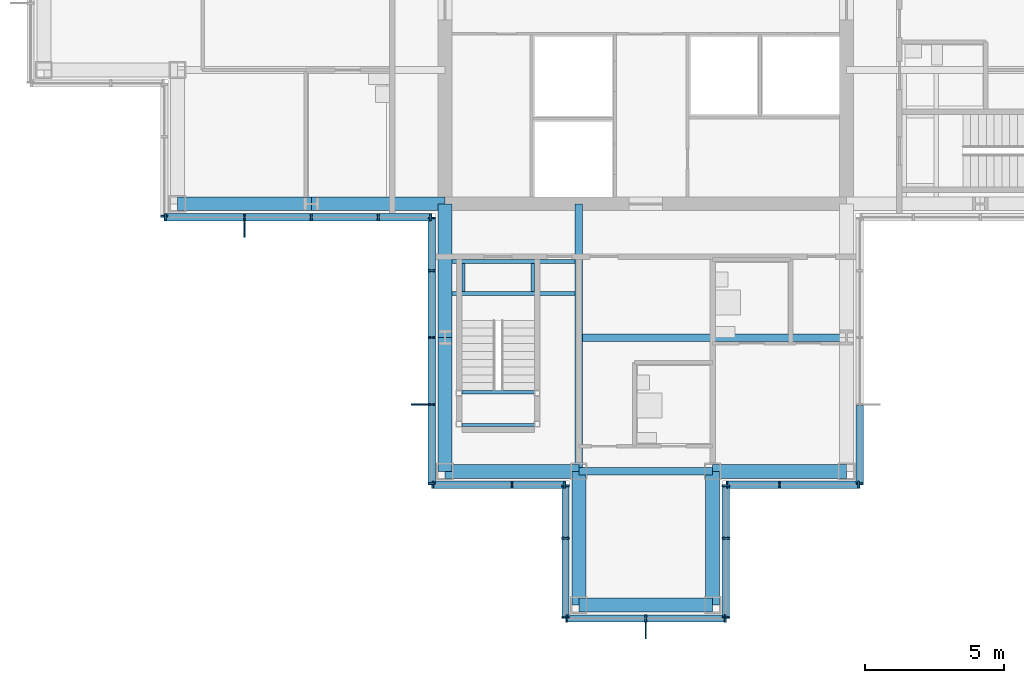
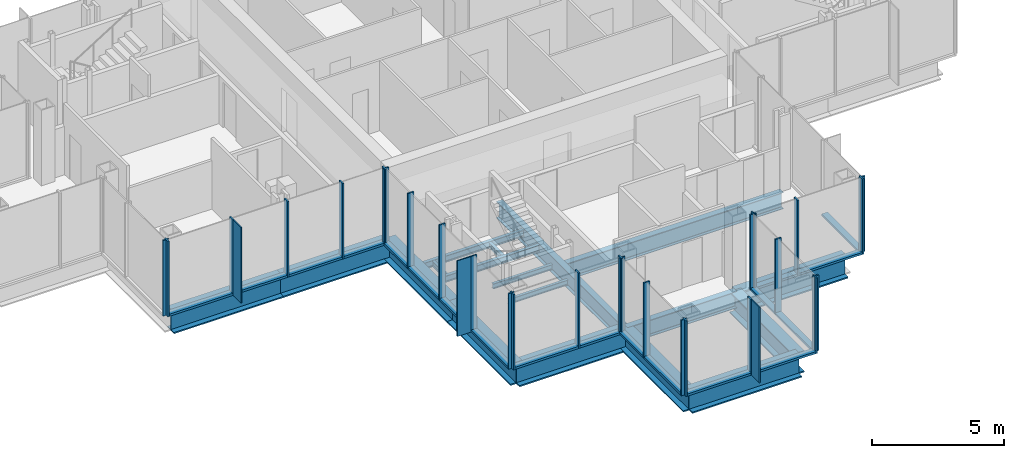
# One storey, part 5 of 15: 49 members, 18 beams, 9 elements without a shape of their own.
"""IFC4 building model written with IfcOpenShell, lengths in metres."""

from ifc_helpers import new_model, si_unit, direction, frame, origin, origin_2d, place, context, subcontext, project, spatial, rectangle, i_section, extrude, material, material_profile, profile_set, type_object, element, aggregate, save


model = new_model("IFC4")

# Units and contexts
model_context = context("Model", 3, precision=1e-05, world=origin(), true_north=direction((0.0, 1.0)))
body_context = subcontext(model_context, "Body", "Model", "MODEL_VIEW")
ifc_project = project(units=[si_unit("LENGTHUNIT", "METRE"), si_unit("AREAUNIT", "SQUARE_METRE"), si_unit("VOLUMEUNIT", "CUBIC_METRE"), si_unit("PLANEANGLEUNIT", "RADIAN"), si_unit("MASSUNIT", "GRAM", prefix="KILO")], contexts=[model_context])

# Site, building, storey
site_placement = place(None, origin())
site = spatial("IfcSite", under=ifc_project, at=site_placement, CompositionType="ELEMENT")
building_placement = place(site_placement, origin())
building = spatial("IfcBuilding", under=site, at=building_placement, Name="Kvirike Care Tower", CompositionType="ELEMENT")
storey_placement = place(building_placement, frame((0.0, 0.0, 240.0)))
storey = spatial("IfcBuildingStorey", under=building, at=storey_placement, Name="L66", CompositionType="ELEMENT", Elevation=240.0)

# Curtain wall, member
ifc_material_1 = material(Name="Anodised aluminium stick system", Category="aluminium")
curtain_wall_type = type_object("IfcCurtainWallType", Name="CW-D STICK CURTAIN WALL", PredefinedType="NOTDEFINED", material=ifc_material_1)
curtain_wall_1_placement = place(storey_placement, origin())
curtain_wall_1 = element("IfcCurtainWall", 1, at=curtain_wall_1_placement, inside=storey, type_object=curtain_wall_type, Name="Curtain wall L66 face 13", PredefinedType="NOTDEFINED")
ifc_material_2 = material(Name="Bronze anodised aluminium fin", Category="aluminium")
ifc_material_profile_1 = material_profile(ifc_material_2, rectangle(XDim=0.050048828125, YDim=0.60009765625, at=origin_2d()), Name="BRONZE FIN 600")
ifc_profile_set_1 = profile_set([ifc_material_profile_1], Name="Bronze anodised aluminium fin")
member_type_1 = type_object("IfcMemberType", Name="BRONZE FIN 600", PredefinedType="USERDEFINED", material=ifc_profile_set_1)
member_1_placement = place(storey_placement, frame((7.199951171875, 27.889892578125, 0.0), z_axis=(0.0, 0.0, 1.0), x_axis=(1.0, 0.0, 0.0)))
member_1 = element("IfcMember", 2, at=member_1_placement, type_object=member_type_1, Name="Bronze fin L66 face 13.2", ObjectType="FIN", PredefinedType="USERDEFINED", context=body_context, shape_type="SweptSolid", body=[
    extrude(rectangle(XDim=0.050048828125, YDim=0.60009765625, at=origin_2d()), origin(), (0.0, 0.0, 1.0), 3.5),
])

curtain_wall_2_placement = place(storey_placement, origin())
curtain_wall_2 = element("IfcCurtainWall", 3, at=curtain_wall_2_placement, inside=storey, type_object=curtain_wall_type, Name="Curtain wall L66 face 14", PredefinedType="NOTDEFINED")
member_2_placement = place(storey_placement, frame((13.489990234375, 21.60009765625, 0.0), z_axis=(0.0, 0.0, 1.0), x_axis=(0.0, -1.0, 0.0)))
member_2 = element("IfcMember", 4, at=member_2_placement, type_object=member_type_1, Name="Bronze fin L66 face 14.4", ObjectType="FIN", PredefinedType="USERDEFINED", context=body_context, shape_type="SweptSolid", body=[
    extrude(rectangle(XDim=0.050048828125, YDim=0.60009765625, at=origin_2d()), origin(), (0.0, 0.0, 1.0), 3.5),
])

curtain_wall_3_placement = place(storey_placement, origin())
curtain_wall_3 = element("IfcCurtainWall", 5, at=curtain_wall_3_placement, inside=storey, type_object=curtain_wall_type, Name="Curtain wall L66 face 17", PredefinedType="NOTDEFINED")
member_3_placement = place(storey_placement, frame((21.60009765625, 13.489990234375, 0.0), z_axis=(0.0, 0.0, 1.0), x_axis=(1.0, 0.0, 0.0)))
member_3 = element("IfcMember", 6, at=member_3_placement, type_object=member_type_1, Name="Bronze fin L66 face 17.2", ObjectType="FIN", PredefinedType="USERDEFINED", context=body_context, shape_type="SweptSolid", body=[
    extrude(rectangle(XDim=0.050048828125, YDim=0.60009765625, at=origin_2d()), origin(), (0.0, 0.0, 1.0), 3.5),
])

curtain_wall_4_placement = place(storey_placement, origin())
curtain_wall_4 = element("IfcCurtainWall", 7, at=curtain_wall_4_placement, inside=storey, type_object=curtain_wall_type, Name="Curtain wall L66 face 12", PredefinedType="NOTDEFINED")
ifc_material_3 = material(Name="Bronze anodised aluminium mullion", Category="aluminium")
ifc_material_profile_2 = material_profile(ifc_material_3, rectangle(XDim=0.06494140625, YDim=0.260009765625, at=origin_2d()), Name="CW-D MULLION 65x260")
ifc_profile_set_2 = profile_set([ifc_material_profile_2], Name="Bronze anodised aluminium mullion")
member_type_2 = type_object("IfcMemberType", Name="CW-D MULLION 65x260", PredefinedType="MULLION", material=ifc_profile_set_2)
member_4_placement = place(storey_placement, frame((4.320068359375, 28.3525390625, 0.0), z_axis=(0.0, 0.0, 1.0), x_axis=(0.0, -1.0, 0.0)))
member_4 = element("IfcMember", 8, at=member_4_placement, type_object=member_type_2, Name="CW-D mullion L66 face 12.3", PredefinedType="MULLION", context=body_context, shape_type="SweptSolid", body=[
    extrude(rectangle(XDim=0.06494140625, YDim=0.260009765625, at=origin_2d()), origin(), (0.0, 0.0, 1.0), 3.5),
])
aggregate(curtain_wall_4, [member_4])

# Member
member_5_placement = place(storey_placement, frame((4.3525390625, 28.320068359375, 0.0), z_axis=(0.0, 0.0, 1.0), x_axis=(1.0, 0.0, 0.0)))
member_5 = element("IfcMember", 9, at=member_5_placement, type_object=member_type_2, Name="CW-D mullion L66 face 13.1", PredefinedType="MULLION", context=body_context, shape_type="SweptSolid", body=[
    extrude(rectangle(XDim=0.06494140625, YDim=0.260009765625, at=origin_2d()), origin(), (0.0, 0.0, 1.0), 3.5),
])

member_6_placement = place(storey_placement, frame((7.199951171875, 28.320068359375, 0.0), z_axis=(0.0, 0.0, 1.0), x_axis=(1.0, 0.0, 0.0)))
member_6 = element("IfcMember", 10, at=member_6_placement, type_object=member_type_2, Name="CW-D mullion L66 face 13.2", PredefinedType="MULLION", context=body_context, shape_type="SweptSolid", body=[
    extrude(rectangle(XDim=0.06494140625, YDim=0.260009765625, at=origin_2d()), origin(), (0.0, 0.0, 1.0), 3.5),
])

member_7_placement = place(storey_placement, frame((9.60009765625, 28.320068359375, 0.0), z_axis=(0.0, 0.0, 1.0), x_axis=(1.0, 0.0, 0.0)))
member_7 = element("IfcMember", 11, at=member_7_placement, type_object=member_type_2, Name="CW-D mullion L66 face 13.3", PredefinedType="MULLION", context=body_context, shape_type="SweptSolid", body=[
    extrude(rectangle(XDim=0.06494140625, YDim=0.260009765625, at=origin_2d()), origin(), (0.0, 0.0, 1.0), 3.5),
])

member_8_placement = place(storey_placement, frame((12.0, 28.320068359375, 0.0), z_axis=(0.0, 0.0, 1.0), x_axis=(1.0, 0.0, 0.0)))
member_8 = element("IfcMember", 12, at=member_8_placement, type_object=member_type_2, Name="CW-D mullion L66 face 13.4", PredefinedType="MULLION", context=body_context, shape_type="SweptSolid", body=[
    extrude(rectangle(XDim=0.06494140625, YDim=0.260009765625, at=origin_2d()), origin(), (0.0, 0.0, 1.0), 3.5),
])

member_9_placement = place(storey_placement, frame((13.887451171875, 28.320068359375, 0.0), z_axis=(0.0, 0.0, 1.0), x_axis=(1.0, 0.0, 0.0)))
member_9 = element("IfcMember", 13, at=member_9_placement, type_object=member_type_2, Name="CW-D mullion L66 face 13.5", PredefinedType="MULLION", context=body_context, shape_type="SweptSolid", body=[
    extrude(rectangle(XDim=0.06494140625, YDim=0.260009765625, at=origin_2d()), origin(), (0.0, 0.0, 1.0), 3.5),
])

member_10_placement = place(storey_placement, frame((13.919921875, 28.28759765625, 0.0), z_axis=(0.0, 0.0, 1.0), x_axis=(0.0, -1.0, 0.0)))
member_10 = element("IfcMember", 14, at=member_10_placement, type_object=member_type_2, Name="CW-D mullion L66 face 14.1", PredefinedType="MULLION", context=body_context, shape_type="SweptSolid", body=[
    extrude(rectangle(XDim=0.06494140625, YDim=0.260009765625, at=origin_2d()), origin(), (0.0, 0.0, 1.0), 3.5),
])

member_11_placement = place(storey_placement, frame((13.919921875, 26.39990234375, 0.0), z_axis=(0.0, 0.0, 1.0), x_axis=(0.0, -1.0, 0.0)))
member_11 = element("IfcMember", 15, at=member_11_placement, type_object=member_type_2, Name="CW-D mullion L66 face 14.2", PredefinedType="MULLION", context=body_context, shape_type="SweptSolid", body=[
    extrude(rectangle(XDim=0.06494140625, YDim=0.260009765625, at=origin_2d()), origin(), (0.0, 0.0, 1.0), 3.5),
])

member_12_placement = place(storey_placement, frame((13.919921875, 24.0, 0.0), z_axis=(0.0, 0.0, 1.0), x_axis=(0.0, -1.0, 0.0)))
member_12 = element("IfcMember", 16, at=member_12_placement, type_object=member_type_2, Name="CW-D mullion L66 face 14.3", PredefinedType="MULLION", context=body_context, shape_type="SweptSolid", body=[
    extrude(rectangle(XDim=0.06494140625, YDim=0.260009765625, at=origin_2d()), origin(), (0.0, 0.0, 1.0), 3.5),
])

member_13_placement = place(storey_placement, frame((13.919921875, 21.60009765625, 0.0), z_axis=(0.0, 0.0, 1.0), x_axis=(0.0, -1.0, 0.0)))
member_13 = element("IfcMember", 17, at=member_13_placement, type_object=member_type_2, Name="CW-D mullion L66 face 14.4", PredefinedType="MULLION", context=body_context, shape_type="SweptSolid", body=[
    extrude(rectangle(XDim=0.06494140625, YDim=0.260009765625, at=origin_2d()), origin(), (0.0, 0.0, 1.0), 3.5),
])

member_14_placement = place(storey_placement, frame((13.919921875, 18.75244140625, 0.0), z_axis=(0.0, 0.0, 1.0), x_axis=(0.0, -1.0, 0.0)))
member_14 = element("IfcMember", 18, at=member_14_placement, type_object=member_type_2, Name="CW-D mullion L66 face 14.5", PredefinedType="MULLION", context=body_context, shape_type="SweptSolid", body=[
    extrude(rectangle(XDim=0.06494140625, YDim=0.260009765625, at=origin_2d()), origin(), (0.0, 0.0, 1.0), 3.5),
])

# Curtain wall, members
curtain_wall_5_placement = place(storey_placement, origin())
curtain_wall_5 = element("IfcCurtainWall", 19, at=curtain_wall_5_placement, inside=storey, type_object=curtain_wall_type, Name="Curtain wall L66 face 15", PredefinedType="NOTDEFINED")
member_15_placement = place(storey_placement, frame((13.952392578125, 18.719970703125, 0.0), z_axis=(0.0, 0.0, 1.0), x_axis=(1.0, 0.0, 0.0)))
member_15 = element("IfcMember", 20, at=member_15_placement, type_object=member_type_2, Name="CW-D mullion L66 face 15.1", PredefinedType="MULLION", context=body_context, shape_type="SweptSolid", body=[
    extrude(rectangle(XDim=0.06494140625, YDim=0.260009765625, at=origin_2d()), origin(), (0.0, 0.0, 1.0), 3.5),
])
member_16_placement = place(storey_placement, frame((16.800048828125, 18.719970703125, 0.0), z_axis=(0.0, 0.0, 1.0), x_axis=(1.0, 0.0, 0.0)))
member_16 = element("IfcMember", 21, at=member_16_placement, type_object=member_type_2, Name="CW-D mullion L66 face 15.2", PredefinedType="MULLION", context=body_context, shape_type="SweptSolid", body=[
    extrude(rectangle(XDim=0.06494140625, YDim=0.260009765625, at=origin_2d()), origin(), (0.0, 0.0, 1.0), 3.5),
])
member_17_placement = place(storey_placement, frame((18.6875, 18.719970703125, 0.0), z_axis=(0.0, 0.0, 1.0), x_axis=(1.0, 0.0, 0.0)))
member_17 = element("IfcMember", 22, at=member_17_placement, type_object=member_type_2, Name="CW-D mullion L66 face 15.3", PredefinedType="MULLION", context=body_context, shape_type="SweptSolid", body=[
    extrude(rectangle(XDim=0.06494140625, YDim=0.260009765625, at=origin_2d()), origin(), (0.0, 0.0, 1.0), 3.5),
])

curtain_wall_6_placement = place(storey_placement, origin())
curtain_wall_6 = element("IfcCurtainWall", 23, at=curtain_wall_6_placement, inside=storey, type_object=curtain_wall_type, Name="Curtain wall L66 face 16", PredefinedType="NOTDEFINED")
member_18_placement = place(storey_placement, frame((18.719970703125, 18.6875, 0.0), z_axis=(0.0, 0.0, 1.0), x_axis=(0.0, -1.0, 0.0)))
member_18 = element("IfcMember", 24, at=member_18_placement, type_object=member_type_2, Name="CW-D mullion L66 face 16.1", PredefinedType="MULLION", context=body_context, shape_type="SweptSolid", body=[
    extrude(rectangle(XDim=0.06494140625, YDim=0.260009765625, at=origin_2d()), origin(), (0.0, 0.0, 1.0), 3.5),
])
member_19_placement = place(storey_placement, frame((18.719970703125, 16.800048828125, 0.0), z_axis=(0.0, 0.0, 1.0), x_axis=(0.0, -1.0, 0.0)))
member_19 = element("IfcMember", 25, at=member_19_placement, type_object=member_type_2, Name="CW-D mullion L66 face 16.2", PredefinedType="MULLION", context=body_context, shape_type="SweptSolid", body=[
    extrude(rectangle(XDim=0.06494140625, YDim=0.260009765625, at=origin_2d()), origin(), (0.0, 0.0, 1.0), 3.5),
])
member_20_placement = place(storey_placement, frame((18.719970703125, 13.952392578125, 0.0), z_axis=(0.0, 0.0, 1.0), x_axis=(0.0, -1.0, 0.0)))
member_20 = element("IfcMember", 26, at=member_20_placement, type_object=member_type_2, Name="CW-D mullion L66 face 16.3", PredefinedType="MULLION", context=body_context, shape_type="SweptSolid", body=[
    extrude(rectangle(XDim=0.06494140625, YDim=0.260009765625, at=origin_2d()), origin(), (0.0, 0.0, 1.0), 3.5),
])

# Member
member_21_placement = place(storey_placement, frame((18.75244140625, 13.919921875, 0.0), z_axis=(0.0, 0.0, 1.0), x_axis=(1.0, 0.0, 0.0)))
member_21 = element("IfcMember", 27, at=member_21_placement, type_object=member_type_2, Name="CW-D mullion L66 face 17.1", PredefinedType="MULLION", context=body_context, shape_type="SweptSolid", body=[
    extrude(rectangle(XDim=0.06494140625, YDim=0.260009765625, at=origin_2d()), origin(), (0.0, 0.0, 1.0), 3.5),
])

member_22_placement = place(storey_placement, frame((21.60009765625, 13.919921875, 0.0), z_axis=(0.0, 0.0, 1.0), x_axis=(1.0, 0.0, 0.0)))
member_22 = element("IfcMember", 28, at=member_22_placement, type_object=member_type_2, Name="CW-D mullion L66 face 17.2", PredefinedType="MULLION", context=body_context, shape_type="SweptSolid", body=[
    extrude(rectangle(XDim=0.06494140625, YDim=0.260009765625, at=origin_2d()), origin(), (0.0, 0.0, 1.0), 3.5),
])

member_23_placement = place(storey_placement, frame((24.447509765625, 13.919921875, 0.0), z_axis=(0.0, 0.0, 1.0), x_axis=(1.0, 0.0, 0.0)))
member_23 = element("IfcMember", 29, at=member_23_placement, type_object=member_type_2, Name="CW-D mullion L66 face 17.3", PredefinedType="MULLION", context=body_context, shape_type="SweptSolid", body=[
    extrude(rectangle(XDim=0.06494140625, YDim=0.260009765625, at=origin_2d()), origin(), (0.0, 0.0, 1.0), 3.5),
])

# Curtain wall, members
curtain_wall_7_placement = place(storey_placement, origin())
curtain_wall_7 = element("IfcCurtainWall", 30, at=curtain_wall_7_placement, inside=storey, type_object=curtain_wall_type, Name="Curtain wall L66 face 18", PredefinedType="NOTDEFINED")
member_24_placement = place(storey_placement, frame((24.47998046875, 13.952392578125, 0.0), z_axis=(0.0, 0.0, 1.0), x_axis=(0.0, 1.0, 0.0)))
member_24 = element("IfcMember", 31, at=member_24_placement, type_object=member_type_2, Name="CW-D mullion L66 face 18.1", PredefinedType="MULLION", context=body_context, shape_type="SweptSolid", body=[
    extrude(rectangle(XDim=0.06494140625, YDim=0.260009765625, at=origin_2d()), origin(), (0.0, 0.0, 1.0), 3.5),
])
member_25_placement = place(storey_placement, frame((24.47998046875, 16.800048828125, 0.0), z_axis=(0.0, 0.0, 1.0), x_axis=(0.0, 1.0, 0.0)))
member_25 = element("IfcMember", 32, at=member_25_placement, type_object=member_type_2, Name="CW-D mullion L66 face 18.2", PredefinedType="MULLION", context=body_context, shape_type="SweptSolid", body=[
    extrude(rectangle(XDim=0.06494140625, YDim=0.260009765625, at=origin_2d()), origin(), (0.0, 0.0, 1.0), 3.5),
])
member_26_placement = place(storey_placement, frame((24.47998046875, 18.6875, 0.0), z_axis=(0.0, 0.0, 1.0), x_axis=(0.0, 1.0, 0.0)))
member_26 = element("IfcMember", 33, at=member_26_placement, type_object=member_type_2, Name="CW-D mullion L66 face 18.3", PredefinedType="MULLION", context=body_context, shape_type="SweptSolid", body=[
    extrude(rectangle(XDim=0.06494140625, YDim=0.260009765625, at=origin_2d()), origin(), (0.0, 0.0, 1.0), 3.5),
])

curtain_wall_8_placement = place(storey_placement, origin())
curtain_wall_8 = element("IfcCurtainWall", 34, at=curtain_wall_8_placement, inside=storey, type_object=curtain_wall_type, Name="Curtain wall L66 face 19", PredefinedType="NOTDEFINED")
member_27_placement = place(storey_placement, frame((24.512451171875, 18.719970703125, 0.0), z_axis=(0.0, 0.0, 1.0), x_axis=(1.0, 0.0, 0.0)))
member_27 = element("IfcMember", 35, at=member_27_placement, type_object=member_type_2, Name="CW-D mullion L66 face 19.1", PredefinedType="MULLION", context=body_context, shape_type="SweptSolid", body=[
    extrude(rectangle(XDim=0.06494140625, YDim=0.260009765625, at=origin_2d()), origin(), (0.0, 0.0, 1.0), 3.5),
])
member_28_placement = place(storey_placement, frame((26.39990234375, 18.719970703125, 0.0), z_axis=(0.0, 0.0, 1.0), x_axis=(1.0, 0.0, 0.0)))
member_28 = element("IfcMember", 36, at=member_28_placement, type_object=member_type_2, Name="CW-D mullion L66 face 19.2", PredefinedType="MULLION", context=body_context, shape_type="SweptSolid", body=[
    extrude(rectangle(XDim=0.06494140625, YDim=0.260009765625, at=origin_2d()), origin(), (0.0, 0.0, 1.0), 3.5),
])
member_29_placement = place(storey_placement, frame((29.24755859375, 18.719970703125, 0.0), z_axis=(0.0, 0.0, 1.0), x_axis=(1.0, 0.0, 0.0)))
member_29 = element("IfcMember", 37, at=member_29_placement, type_object=member_type_2, Name="CW-D mullion L66 face 19.3", PredefinedType="MULLION", context=body_context, shape_type="SweptSolid", body=[
    extrude(rectangle(XDim=0.06494140625, YDim=0.260009765625, at=origin_2d()), origin(), (0.0, 0.0, 1.0), 3.5),
])

# Curtain wall, member
curtain_wall_9_placement = place(storey_placement, origin())
curtain_wall_9 = element("IfcCurtainWall", 38, at=curtain_wall_9_placement, inside=storey, type_object=curtain_wall_type, Name="Curtain wall L66 face 20", PredefinedType="NOTDEFINED")
member_30_placement = place(storey_placement, frame((29.280029296875, 18.75244140625, 0.0), z_axis=(0.0, 0.0, 1.0), x_axis=(0.0, 1.0, 0.0)))
member_30 = element("IfcMember", 39, at=member_30_placement, type_object=member_type_2, Name="CW-D mullion L66 face 20.1", PredefinedType="MULLION", context=body_context, shape_type="SweptSolid", body=[
    extrude(rectangle(XDim=0.06494140625, YDim=0.260009765625, at=origin_2d()), origin(), (0.0, 0.0, 1.0), 3.5),
])

# Member
ifc_material_4 = material(Name="Bronze anodised aluminium transom", Category="aluminium")
ifc_material_profile_3 = material_profile(ifc_material_4, rectangle(XDim=0.260009765625, YDim=0.10009765625, at=origin_2d()), Name="CW-D TRANSOM 260x100")
ifc_profile_set_3 = profile_set([ifc_material_profile_3], Name="Bronze anodised aluminium transom")
member_type_3 = type_object("IfcMemberType", Name="CW-D TRANSOM 260x100", PredefinedType="USERDEFINED", material=ifc_profile_set_3)
member_31_placement = place(storey_placement, frame((4.385009765625, 28.320068359375, 0.050048828125), z_axis=(1.0, 0.0, 0.0), x_axis=(0.0, 1.0, 0.0)))
member_31 = element("IfcMember", 40, at=member_31_placement, type_object=member_type_3, Name="CW-D sill transom L66 face 13.1", ObjectType="TRANSOM", PredefinedType="USERDEFINED", context=body_context, shape_type="SweptSolid", body=[
    extrude(rectangle(XDim=0.260009765625, YDim=0.10009765625, at=origin_2d()), origin(), (0.0, 0.0, 1.0), 2.782470703125),
])

member_32_placement = place(storey_placement, frame((7.232421875, 28.320068359375, 0.050048828125), z_axis=(1.0, 0.0, 0.0), x_axis=(0.0, 1.0, 0.0)))
member_32 = element("IfcMember", 41, at=member_32_placement, type_object=member_type_3, Name="CW-D sill transom L66 face 13.2", ObjectType="TRANSOM", PredefinedType="USERDEFINED", context=body_context, shape_type="SweptSolid", body=[
    extrude(rectangle(XDim=0.260009765625, YDim=0.10009765625, at=origin_2d()), origin(), (0.0, 0.0, 1.0), 2.3349609375),
])

member_33_placement = place(storey_placement, frame((9.632568359375, 28.320068359375, 0.050048828125), z_axis=(1.0, 0.0, 0.0), x_axis=(0.0, 1.0, 0.0)))
member_33 = element("IfcMember", 42, at=member_33_placement, type_object=member_type_3, Name="CW-D sill transom L66 face 13.3", ObjectType="TRANSOM", PredefinedType="USERDEFINED", context=body_context, shape_type="SweptSolid", body=[
    extrude(rectangle(XDim=0.260009765625, YDim=0.10009765625, at=origin_2d()), origin(), (0.0, 0.0, 1.0), 2.3349609375),
])

member_34_placement = place(storey_placement, frame((12.032470703125, 28.320068359375, 0.050048828125), z_axis=(1.0, 0.0, 0.0), x_axis=(0.0, 1.0, 0.0)))
member_34 = element("IfcMember", 43, at=member_34_placement, type_object=member_type_3, Name="CW-D sill transom L66 face 13.4", ObjectType="TRANSOM", PredefinedType="USERDEFINED", context=body_context, shape_type="SweptSolid", body=[
    extrude(rectangle(XDim=0.260009765625, YDim=0.10009765625, at=origin_2d()), origin(), (0.0, 0.0, 1.0), 1.822509765625),
])

aggregate(curtain_wall_1, [member_5, member_6, member_1, member_7, member_8, member_9, member_31, member_32, member_33, member_34])

member_35_placement = place(storey_placement, frame((13.919921875, 28.2548828125, 0.050048828125), z_axis=(0.0, -1.0, 0.0), x_axis=(1.0, 0.0, 0.0)))
member_35 = element("IfcMember", 44, at=member_35_placement, type_object=member_type_3, Name="CW-D sill transom L66 face 14.1", ObjectType="TRANSOM", PredefinedType="USERDEFINED", context=body_context, shape_type="SweptSolid", body=[
    extrude(rectangle(XDim=0.260009765625, YDim=0.10009765625, at=origin_2d()), origin(), (0.0, 0.0, 1.0), 1.822265625),
])

member_36_placement = place(storey_placement, frame((13.919921875, 26.367431640625, 0.050048828125), z_axis=(0.0, -1.0, 0.0), x_axis=(1.0, 0.0, 0.0)))
member_36 = element("IfcMember", 45, at=member_36_placement, type_object=member_type_3, Name="CW-D sill transom L66 face 14.2", ObjectType="TRANSOM", PredefinedType="USERDEFINED", context=body_context, shape_type="SweptSolid", body=[
    extrude(rectangle(XDim=0.260009765625, YDim=0.10009765625, at=origin_2d()), origin(), (0.0, 0.0, 1.0), 2.3349609375),
])

member_37_placement = place(storey_placement, frame((13.919921875, 23.967529296875, 0.050048828125), z_axis=(0.0, -1.0, 0.0), x_axis=(1.0, 0.0, 0.0)))
member_37 = element("IfcMember", 46, at=member_37_placement, type_object=member_type_3, Name="CW-D sill transom L66 face 14.3", ObjectType="TRANSOM", PredefinedType="USERDEFINED", context=body_context, shape_type="SweptSolid", body=[
    extrude(rectangle(XDim=0.260009765625, YDim=0.10009765625, at=origin_2d()), origin(), (0.0, 0.0, 1.0), 2.3349609375),
])

member_38_placement = place(storey_placement, frame((13.919921875, 21.5673828125, 0.050048828125), z_axis=(0.0, -1.0, 0.0), x_axis=(1.0, 0.0, 0.0)))
member_38 = element("IfcMember", 47, at=member_38_placement, type_object=member_type_3, Name="CW-D sill transom L66 face 14.4", ObjectType="TRANSOM", PredefinedType="USERDEFINED", context=body_context, shape_type="SweptSolid", body=[
    extrude(rectangle(XDim=0.260009765625, YDim=0.10009765625, at=origin_2d()), origin(), (0.0, 0.0, 1.0), 2.782470703125),
])

aggregate(curtain_wall_2, [member_10, member_11, member_12, member_13, member_2, member_14, member_35, member_36, member_37, member_38])

member_39_placement = place(storey_placement, frame((13.985107421875, 18.719970703125, 0.050048828125), z_axis=(1.0, 0.0, 0.0), x_axis=(0.0, 1.0, 0.0)))
member_39 = element("IfcMember", 48, at=member_39_placement, type_object=member_type_3, Name="CW-D sill transom L66 face 15.1", ObjectType="TRANSOM", PredefinedType="USERDEFINED", context=body_context, shape_type="SweptSolid", body=[
    extrude(rectangle(XDim=0.260009765625, YDim=0.10009765625, at=origin_2d()), origin(), (0.0, 0.0, 1.0), 2.782470703125),
])

member_40_placement = place(storey_placement, frame((16.83251953125, 18.719970703125, 0.050048828125), z_axis=(1.0, 0.0, 0.0), x_axis=(0.0, 1.0, 0.0)))
member_40 = element("IfcMember", 49, at=member_40_placement, type_object=member_type_3, Name="CW-D sill transom L66 face 15.2", ObjectType="TRANSOM", PredefinedType="USERDEFINED", context=body_context, shape_type="SweptSolid", body=[
    extrude(rectangle(XDim=0.260009765625, YDim=0.10009765625, at=origin_2d()), origin(), (0.0, 0.0, 1.0), 1.822509765625),
])

aggregate(curtain_wall_5, [member_15, member_16, member_17, member_39, member_40])

member_41_placement = place(storey_placement, frame((18.719970703125, 18.655029296875, 0.050048828125), z_axis=(0.0, -1.0, 0.0), x_axis=(1.0, 0.0, 0.0)))
member_41 = element("IfcMember", 50, at=member_41_placement, type_object=member_type_3, Name="CW-D sill transom L66 face 16.1", ObjectType="TRANSOM", PredefinedType="USERDEFINED", context=body_context, shape_type="SweptSolid", body=[
    extrude(rectangle(XDim=0.260009765625, YDim=0.10009765625, at=origin_2d()), origin(), (0.0, 0.0, 1.0), 1.822509765625),
])

member_42_placement = place(storey_placement, frame((18.719970703125, 16.767578125, 0.050048828125), z_axis=(0.0, -1.0, 0.0), x_axis=(1.0, 0.0, 0.0)))
member_42 = element("IfcMember", 51, at=member_42_placement, type_object=member_type_3, Name="CW-D sill transom L66 face 16.2", ObjectType="TRANSOM", PredefinedType="USERDEFINED", context=body_context, shape_type="SweptSolid", body=[
    extrude(rectangle(XDim=0.260009765625, YDim=0.10009765625, at=origin_2d()), origin(), (0.0, 0.0, 1.0), 2.782470703125),
])

aggregate(curtain_wall_6, [member_18, member_19, member_20, member_41, member_42])

member_43_placement = place(storey_placement, frame((18.784912109375, 13.919921875, 0.050048828125), z_axis=(1.0, 0.0, 0.0), x_axis=(0.0, 1.0, 0.0)))
member_43 = element("IfcMember", 52, at=member_43_placement, type_object=member_type_3, Name="CW-D sill transom L66 face 17.1", ObjectType="TRANSOM", PredefinedType="USERDEFINED", context=body_context, shape_type="SweptSolid", body=[
    extrude(rectangle(XDim=0.260009765625, YDim=0.10009765625, at=origin_2d()), origin(), (0.0, 0.0, 1.0), 2.782470703125),
])

member_44_placement = place(storey_placement, frame((21.632568359375, 13.919921875, 0.050048828125), z_axis=(1.0, 0.0, 0.0), x_axis=(0.0, 1.0, 0.0)))
member_44 = element("IfcMember", 53, at=member_44_placement, type_object=member_type_3, Name="CW-D sill transom L66 face 17.2", ObjectType="TRANSOM", PredefinedType="USERDEFINED", context=body_context, shape_type="SweptSolid", body=[
    extrude(rectangle(XDim=0.260009765625, YDim=0.10009765625, at=origin_2d()), origin(), (0.0, 0.0, 1.0), 2.782470703125),
])

aggregate(curtain_wall_3, [member_21, member_22, member_3, member_23, member_43, member_44])

member_45_placement = place(storey_placement, frame((24.47998046875, 13.985107421875, 0.050048828125), z_axis=(0.0, 1.0, 0.0), x_axis=(-1.0, 0.0, 0.0)))
member_45 = element("IfcMember", 54, at=member_45_placement, type_object=member_type_3, Name="CW-D sill transom L66 face 18.1", ObjectType="TRANSOM", PredefinedType="USERDEFINED", context=body_context, shape_type="SweptSolid", body=[
    extrude(rectangle(XDim=0.260009765625, YDim=0.10009765625, at=origin_2d()), origin(), (0.0, 0.0, 1.0), 2.782470703125),
])

member_46_placement = place(storey_placement, frame((24.47998046875, 16.83251953125, 0.050048828125), z_axis=(0.0, 1.0, 0.0), x_axis=(-1.0, 0.0, 0.0)))
member_46 = element("IfcMember", 55, at=member_46_placement, type_object=member_type_3, Name="CW-D sill transom L66 face 18.2", ObjectType="TRANSOM", PredefinedType="USERDEFINED", context=body_context, shape_type="SweptSolid", body=[
    extrude(rectangle(XDim=0.260009765625, YDim=0.10009765625, at=origin_2d()), origin(), (0.0, 0.0, 1.0), 1.822509765625),
])

aggregate(curtain_wall_7, [member_24, member_25, member_26, member_45, member_46])

member_47_placement = place(storey_placement, frame((24.544921875, 18.719970703125, 0.050048828125), z_axis=(1.0, 0.0, 0.0), x_axis=(0.0, 1.0, 0.0)))
member_47 = element("IfcMember", 56, at=member_47_placement, type_object=member_type_3, Name="CW-D sill transom L66 face 19.1", ObjectType="TRANSOM", PredefinedType="USERDEFINED", context=body_context, shape_type="SweptSolid", body=[
    extrude(rectangle(XDim=0.260009765625, YDim=0.10009765625, at=origin_2d()), origin(), (0.0, 0.0, 1.0), 1.822509765625),
])

member_48_placement = place(storey_placement, frame((26.4326171875, 18.719970703125, 0.050048828125), z_axis=(1.0, 0.0, 0.0), x_axis=(0.0, 1.0, 0.0)))
member_48 = element("IfcMember", 57, at=member_48_placement, type_object=member_type_3, Name="CW-D sill transom L66 face 19.2", ObjectType="TRANSOM", PredefinedType="USERDEFINED", context=body_context, shape_type="SweptSolid", body=[
    extrude(rectangle(XDim=0.260009765625, YDim=0.10009765625, at=origin_2d()), origin(), (0.0, 0.0, 1.0), 2.782470703125),
])

aggregate(curtain_wall_8, [member_27, member_28, member_29, member_47, member_48])

member_49_placement = place(storey_placement, frame((29.280029296875, 18.784912109375, 0.050048828125), z_axis=(0.0, 1.0, 0.0), x_axis=(-1.0, 0.0, 0.0)))
member_49 = element("IfcMember", 58, at=member_49_placement, type_object=member_type_3, Name="CW-D sill transom L66 face 20.1", ObjectType="TRANSOM", PredefinedType="USERDEFINED", context=body_context, shape_type="SweptSolid", body=[
    extrude(rectangle(XDim=0.260009765625, YDim=0.10009765625, at=origin_2d()), origin(), (0.0, 0.0, 1.0), 2.782470703125),
])

aggregate(curtain_wall_9, [member_30, member_49])

# Beams
ifc_material_5 = material(Name="Steel S355", Category="steel")
ifc_material_profile_4 = material_profile(ifc_material_5, i_section(OverallWidth=0.26806640625, OverallDepth=0.77001953125, WebThickness=0.015625, FlangeThickness=0.025390625, FilletRadius=0.01708984375, at=origin_2d()), Name="IPE 750x196")
ifc_profile_set_4 = profile_set([ifc_material_profile_4], Name="Steel S355")
beam_type_1 = type_object("IfcBeamType", Name="FLOOR BEAM IPE 750x196", PredefinedType="BEAM", material=ifc_profile_set_4)
beam_1_placement = place(storey_placement, frame((19.199951171875, 19.199951171875, -0.554931640625), z_axis=(1.0, 0.0, 0.0), x_axis=(0.0, 1.0, 0.0)))
element("IfcBeam", 59, at=beam_1_placement, inside=storey, type_object=beam_type_1, Name="Floor Beam E7-E8 L66", PredefinedType="BEAM", context=body_context, shape_type="SweptSolid", body=[
    extrude(i_section(OverallWidth=0.26806640625, OverallDepth=0.77001953125, WebThickness=0.015625, FlangeThickness=0.025390625, FilletRadius=0.01708984375, at=origin_2d()), origin(), (0.0, 0.0, 1.0), 4.800048828125),
])
for number, where, z_axis, x_axis, name in (
    (60, (19.199951171875, 24.0, -0.554931640625), (1.0, 0.0, 0.0), (0.0, 1.0, 0.0), "Floor Beam F7-F9 L66"),
    (61, (19.199951171875, 19.199951171875, -0.554931640625), (0.0, 1.0, 0.0), (-1.0, 0.0, 0.0), "Floor Beam E7-G7 L66"),
):
    element("IfcBeam", number, at=place(storey_placement, frame(where, z_axis=z_axis, x_axis=x_axis)), inside=storey, type_object=beam_type_1, Name=name, PredefinedType="BEAM", context=body_context, shape_type="SweptSolid", body=[
        extrude(i_section(OverallWidth=0.26806640625, OverallDepth=0.77001953125, WebThickness=0.015625, FlangeThickness=0.025390625, FilletRadius=0.01708984375, at=origin_2d()), origin(), (0.0, 0.0, 1.0), 9.60009765625),
    ])
ifc_material_6 = material(Name="Steel S355", Category="steel")
ifc_material_profile_5 = material_profile(ifc_material_6, i_section(OverallWidth=0.5, OverallDepth=1.0, WebThickness=0.030029296875, FlangeThickness=0.06005859375, at=origin_2d()), Name="PG 1000x500x30x60")
ifc_profile_set_5 = profile_set([ifc_material_profile_5], Name="Steel S355")
beam_type_2 = type_object("IfcBeamType", Name="SPANDREL PG 1000x500x30x60", PredefinedType="SPANDREL", material=ifc_profile_set_5)
for number, where, z_axis, x_axis, name in (
    (62, (19.199951171875, 14.39990234375, -0.669921875), (1.0, 0.0, 0.0), (0.0, 1.0, 0.0), "Spandrel D7-D8 L66"),
    (63, (14.39990234375, 19.199951171875, -0.669921875), (1.0, 0.0, 0.0), (0.0, 1.0, 0.0), "Spandrel E6-E7 L66"),
    (64, (24.0, 19.199951171875, -0.669921875), (1.0, 0.0, 0.0), (0.0, 1.0, 0.0), "Spandrel E8-E9 L66"),
    (65, (4.800048828125, 28.800048828125, -0.669921875), (1.0, 0.0, 0.0), (0.0, 1.0, 0.0), "Spandrel G4-G5 L66"),
):
    element("IfcBeam", number, at=place(storey_placement, frame(where, z_axis=z_axis, x_axis=x_axis)), inside=storey, type_object=beam_type_2, Name=name, PredefinedType="SPANDREL", context=body_context, shape_type="SweptSolid", body=[
        extrude(i_section(OverallWidth=0.5, OverallDepth=1.0, WebThickness=0.030029296875, FlangeThickness=0.06005859375, at=origin_2d()), origin(), (0.0, 0.0, 1.0), 4.800048828125),
    ])
beam_2_placement = place(storey_placement, frame((9.60009765625, 28.800048828125, -0.669921875), z_axis=(1.0, 0.0, 0.0), x_axis=(0.0, 1.0, 0.0)))
element("IfcBeam", 66, at=beam_2_placement, inside=storey, type_object=beam_type_2, Name="Spandrel G5-G6 L66", PredefinedType="SPANDREL", context=body_context, shape_type="SweptSolid", body=[
    extrude(i_section(OverallWidth=0.5, OverallDepth=1.0, WebThickness=0.030029296875, FlangeThickness=0.06005859375, at=origin_2d()), origin(), (0.0, 0.0, 1.0), 4.7998046875),
])
for number, where, z_axis, x_axis, name in (
    (67, (14.39990234375, 19.199951171875, -0.669921875), (0.0, 1.0, 0.0), (-1.0, 0.0, 0.0), "Spandrel E6-F6 L66"),
    (68, (14.39990234375, 24.0, -0.669921875), (0.0, 1.0, 0.0), (-1.0, 0.0, 0.0), "Spandrel F6-G6 L66"),
    (69, (19.199951171875, 14.39990234375, -0.669921875), (0.0, 1.0, 0.0), (-1.0, 0.0, 0.0), "Spandrel D7-E7 L66"),
    (70, (24.0, 14.39990234375, -0.669921875), (0.0, 1.0, 0.0), (-1.0, 0.0, 0.0), "Spandrel D8-E8 L66"),
):
    element("IfcBeam", number, at=place(storey_placement, frame(where, z_axis=z_axis, x_axis=x_axis)), inside=storey, type_object=beam_type_2, Name=name, PredefinedType="SPANDREL", context=body_context, shape_type="SweptSolid", body=[
        extrude(i_section(OverallWidth=0.5, OverallDepth=1.0, WebThickness=0.030029296875, FlangeThickness=0.06005859375, at=origin_2d()), origin(), (0.0, 0.0, 1.0), 4.800048828125),
    ])
ifc_material_7 = material(Name="Steel S355", Category="steel")
ifc_material_profile_6 = material_profile(ifc_material_7, i_section(OverallWidth=0.1201171875, OverallDepth=0.239990234375, WebThickness=0.006103515625, FlangeThickness=0.009765625, FilletRadius=0.014892578125, at=origin_2d()), Name="IPE 240")
ifc_profile_set_6 = profile_set([ifc_material_profile_6], Name="Steel S355")
beam_type_3 = type_object("IfcBeamType", Name="STAIR LANDING BEAM IPE 240", PredefinedType="BEAM", material=ifc_profile_set_6)
for number, where, z_axis, x_axis, name in (
    (71, (15.0, 20.860107421875, 1.429931640625), (1.0, 0.0, 0.0), (0.0, 1.0, 0.0), "Stair 5 landing beam back L66"),
    (72, (15.0, 22.0400390625, 1.429931640625), (1.0, 0.0, 0.0), (0.0, 1.0, 0.0), "Stair 5 landing beam front L66"),
):
    element("IfcBeam", number, at=place(storey_placement, frame(where, z_axis=z_axis, x_axis=x_axis)), inside=storey, type_object=beam_type_3, Name=name, PredefinedType="BEAM", context=body_context, shape_type="SweptSolid", body=[
        extrude(i_section(OverallWidth=0.1201171875, OverallDepth=0.239990234375, WebThickness=0.006103515625, FlangeThickness=0.009765625, FilletRadius=0.014892578125, at=origin_2d()), origin(), (0.0, 0.0, 1.0), 2.60009765625),
    ])
for number, where, z_axis, x_axis, name in (
    (73, (15.06005859375, 25.64990234375, -0.320068359375), (0.0, 1.0, 0.0), (-1.0, 0.0, 0.0), "Stair 5 landing edge beam 1 L66"),
    (74, (17.5400390625, 25.64990234375, -0.320068359375), (0.0, 1.0, 0.0), (-1.0, 0.0, 0.0), "Stair 5 landing edge beam 2 L66"),
):
    element("IfcBeam", number, at=place(storey_placement, frame(where, z_axis=z_axis, x_axis=x_axis)), inside=storey, type_object=beam_type_3, Name=name, PredefinedType="BEAM", context=body_context, shape_type="SweptSolid", body=[
        extrude(i_section(OverallWidth=0.1201171875, OverallDepth=0.239990234375, WebThickness=0.006103515625, FlangeThickness=0.009765625, FilletRadius=0.014892578125, at=origin_2d()), origin(), (0.0, 0.0, 1.0), 1.0),
    ])
ifc_material_8 = material(Name="Steel S355", Category="steel")
ifc_material_profile_7 = material_profile(ifc_material_8, i_section(OverallWidth=0.14990234375, OverallDepth=0.300048828125, WebThickness=0.007080078125, FlangeThickness=0.0107421875, FilletRadius=0.014892578125, at=origin_2d()), Name="IPE 300")
ifc_profile_set_7 = profile_set([ifc_material_profile_7], Name="Steel S355")
beam_type_4 = type_object("IfcBeamType", Name="STAIR TRIMMER IPE 300", PredefinedType="BEAM", material=ifc_profile_set_7)
for number, where, z_axis, x_axis, name in (
    (75, (14.64990234375, 25.574951171875, -0.35009765625), (1.0, 0.0, 0.0), (0.0, 1.0, 0.0), "Stair 5 trimmer 1 L66"),
    (76, (14.64990234375, 26.72509765625, -0.35009765625), (1.0, 0.0, 0.0), (0.0, 1.0, 0.0), "Stair 5 trimmer 2 L66"),
):
    element("IfcBeam", number, at=place(storey_placement, frame(where, z_axis=z_axis, x_axis=x_axis)), inside=storey, type_object=beam_type_4, Name=name, PredefinedType="BEAM", context=body_context, shape_type="SweptSolid", body=[
        extrude(i_section(OverallWidth=0.14990234375, OverallDepth=0.300048828125, WebThickness=0.007080078125, FlangeThickness=0.0107421875, FilletRadius=0.014892578125, at=origin_2d()), origin(), (0.0, 0.0, 1.0), 4.416015625),
    ])

save(model, "model.ifc")
